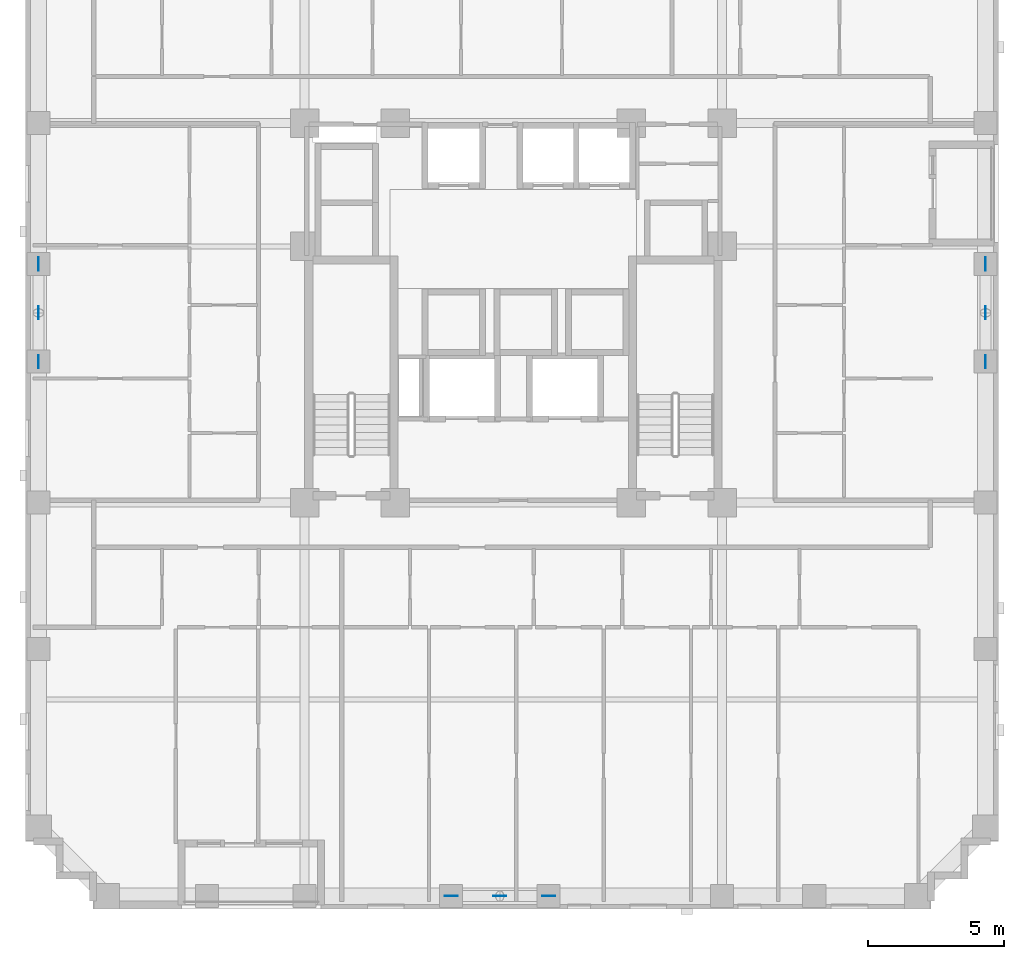
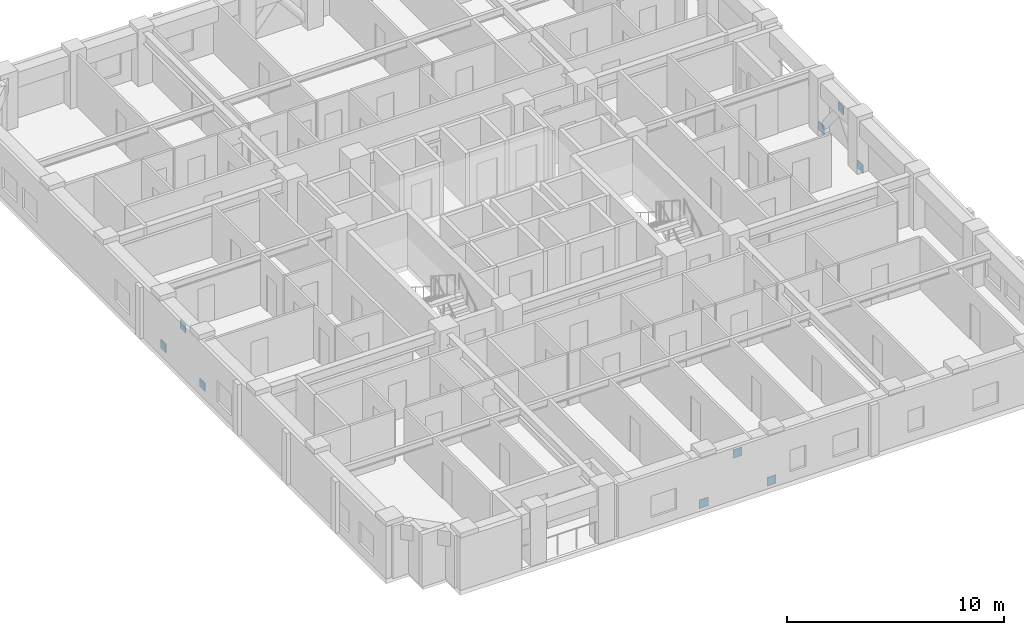
# One storey, part 9 of 12: 9 discrete accessories.
"""IFC4 building model written with IfcOpenShell, lengths in metres."""

from ifc_helpers import new_model, si_unit, derived_unit, direction, frame, origin, origin_2d, place, context, subcontext, project, spatial, rectangle, extrude, material, layer, layer_set, type_object, element, save


model = new_model("IFC4")

# Units and contexts
model_context = context("Model", 3, precision=1e-05, world=origin(), true_north=direction((0.0, 1.0)))
body_context = subcontext(model_context, "Body", "Model", "MODEL_VIEW")
ifc_project = project(units=[si_unit("LENGTHUNIT", "METRE"), si_unit("AREAUNIT", "SQUARE_METRE"), si_unit("VOLUMEUNIT", "CUBIC_METRE"), si_unit("PLANEANGLEUNIT", "RADIAN"), si_unit("MASSUNIT", "GRAM", prefix="KILO"), derived_unit("THERMALTRANSMITTANCEUNIT", [(si_unit("MASSUNIT", "GRAM", prefix="KILO"), 1), (si_unit("TIMEUNIT", "SECOND"), -3), (si_unit("THERMODYNAMICTEMPERATUREUNIT", "KELVIN"), -1)])], contexts=[model_context])

# Site, building, storey
site_placement = place(None, origin())
site = spatial("IfcSite", under=ifc_project, at=site_placement, CompositionType="ELEMENT")
building_placement = place(site_placement, origin())
building = spatial("IfcBuilding", under=site, at=building_placement, Name="Korrvale Station Residences", CompositionType="ELEMENT")
storey_placement = place(building_placement, frame((0.0, 0.0, 81.5)))
storey = spatial("IfcBuildingStorey", under=building, at=storey_placement, Name="L22", CompositionType="ELEMENT", Elevation=81.5)

# Discrete accessories
ifc_material = material(Name="Steel S355", Category="steel")
ifc_layer = layer(ifc_material, 0.02490234375, Name="Steel S355")
ifc_layer_set = layer_set([ifc_layer], Name="Steel S355")
discrete_accessory_type = type_object("IfcDiscreteAccessoryType", Name="ACC-GUSSET-25", PredefinedType="BRACKET", material=ifc_layer_set)
for number, where, z_axis, x_axis, name in (
    (1, (23.199951171875, 0.47998046875, -0.219970703125), (0.0, 0.0, 1.0), (1.0, 0.0, 0.0), "L22 S Brace End Gusset Connection A"),
    (2, (26.800048828125, 0.47998046875, -0.219970703125), (0.0, 0.0, 1.0), (1.0, 0.0, 0.0), "L22 S Brace End Gusset Connection B"),
    (3, (25.0, 0.47998046875, 1.969970703125), (0.0, 0.0, 1.0), (1.0, 0.0, 0.0), "L22 S Brace End Gusset Connection M"),
    (4, (7.97998046875, 20.199951171875, -0.219970703125), (0.0, 0.0, 1.0), (0.0, 1.0, 0.0), "L22 W Brace End Gusset Connection A"),
    (5, (7.97998046875, 23.800048828125, -0.219970703125), (0.0, 0.0, 1.0), (0.0, 1.0, 0.0), "L22 W Brace End Gusset Connection B"),
    (6, (7.97998046875, 22.0, 1.969970703125), (0.0, 0.0, 1.0), (0.0, 1.0, 0.0), "L22 W Brace End Gusset Connection M"),
    (7, (42.919921875, 20.199951171875, -0.219970703125), (0.0, 0.0, 1.0), (0.0, 1.0, 0.0), "L22 E Brace End Gusset Connection A"),
    (8, (42.919921875, 23.800048828125, -0.219970703125), (0.0, 0.0, 1.0), (0.0, 1.0, 0.0), "L22 E Brace End Gusset Connection B"),
    (9, (42.919921875, 22.0, 1.969970703125), (0.0, 0.0, 1.0), (0.0, 1.0, 0.0), "L22 E Brace End Gusset Connection M"),
):
    element("IfcDiscreteAccessory", number, at=place(storey_placement, frame(where, z_axis=z_axis, x_axis=x_axis)), inside=storey, type_object=discrete_accessory_type, Name=name, PredefinedType="BRACKET", context=body_context, shape_type="SweptSolid", body=[
        extrude(rectangle(XDim=0.47998046875, YDim=0.02490234375, at=origin_2d()), origin(), (0.0, 0.0, 1.0), 0.47998046875),
    ])

save(model, "model.ifc")
